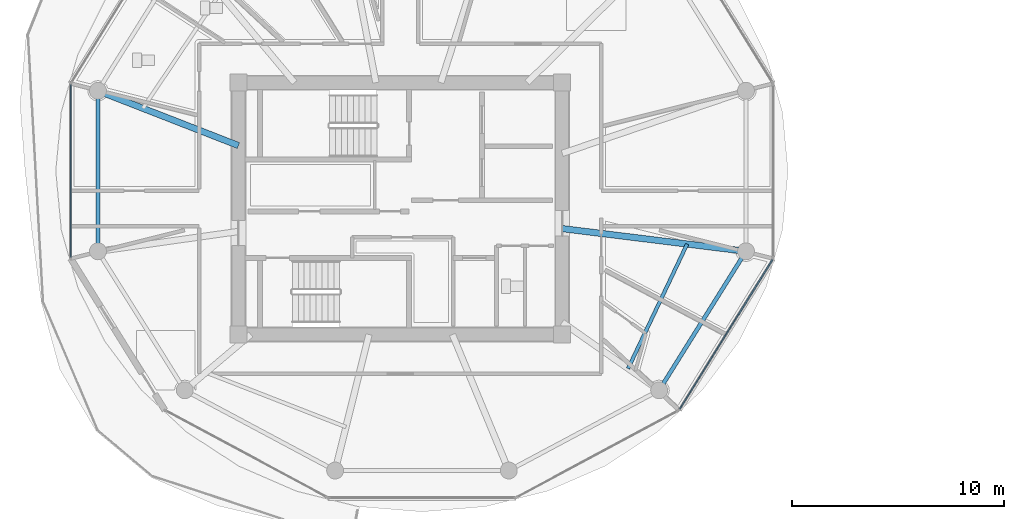
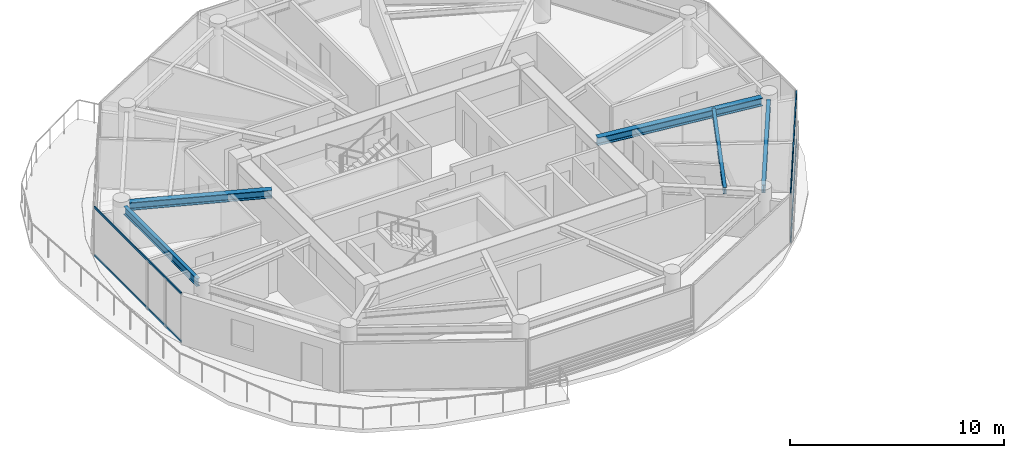
# One storey, part 3 of 25: 5 beams, 4 members, 2 elements without a shape of their own.
"""IFC4 building model written with IfcOpenShell, lengths in metres."""

from ifc_helpers import new_model, si_unit, direction, frame, origin, origin_2d, place, context, subcontext, project, spatial, rectangle, i_section, extrude, source, transform, mapped, material, layer, layer_set, material_profile, profile_set, type_object, type_shapes, element, aggregate, save


model = new_model("IFC4")

# Units and contexts
model_context = context("Model", 3, precision=1e-05, world=origin(), true_north=direction((0.0, 1.0)))
body_context = subcontext(model_context, "Body", "Model", "MODEL_VIEW")
ifc_project = project(units=[si_unit("LENGTHUNIT", "METRE"), si_unit("AREAUNIT", "SQUARE_METRE"), si_unit("VOLUMEUNIT", "CUBIC_METRE"), si_unit("PLANEANGLEUNIT", "RADIAN"), si_unit("MASSUNIT", "GRAM", prefix="KILO")], contexts=[model_context])

# Site, building, storey
site_placement = place(None, origin())
site = spatial("IfcSite", under=ifc_project, at=site_placement, CompositionType="ELEMENT")
building_placement = place(site_placement, origin())
building = spatial("IfcBuilding", under=site, at=building_placement, Name="Norrkilde Senior Care Towers", CompositionType="ELEMENT")
storey_placement = place(building_placement, frame((0.0, 0.0, 161.75)))
storey = spatial("IfcBuildingStorey", under=building, at=storey_placement, Name="L50", CompositionType="ELEMENT", Elevation=161.75)

# Beams
ifc_material_1 = material(Name="Steel S355", Category="steel")
ifc_material_profile_1 = material_profile(ifc_material_1, i_section(OverallWidth=0.18994140625, OverallDepth=0.449951171875, WebThickness=0.009521484375, FlangeThickness=0.0146484375, FilletRadius=0.02099609375, at=origin_2d()), Name="IPE 450")
ifc_profile_set_1 = profile_set([ifc_material_profile_1], Name="Steel S355")
beam_type_1 = type_object("IfcBeamType", Name="Perimeter Ring Spandrel Z3 IPE450", PredefinedType="SPANDREL", material=ifc_profile_set_1)
shared_shape_1 = source(origin(), body_context, "Body", "SweptSolid", [
    extrude(i_section(OverallWidth=0.18994140625, OverallDepth=0.449951171875, WebThickness=0.009521484375, FlangeThickness=0.0146484375, FilletRadius=0.02099609375, at=origin_2d()), origin(), (0.0, 0.0, 1.0), 6.86328125),
])
beam_1_placement = place(storey_placement, frame((-42.284912109375, 5.20703125, 2.5849609375), z_axis=(0.0, -1.0, 0.0), x_axis=(1.0, 0.0, 0.0)))
element("IfcBeam", 1, at=beam_1_placement, inside=storey, type_object=beam_type_1, Name="L50 Drum W Perimeter Spandrel 06", PredefinedType="SPANDREL", context=body_context, shape_type="MappedRepresentation", body=[
    mapped(shared_shape_1, transform((0.0, 0.0, 0.0), x_axis=(1.0, 0.0, 0.0), y_axis=(0.0, 1.0, 0.0), z_axis=(0.0, 0.0, 1.0), scale=1.0)),
])
ifc_material_profile_2 = material_profile(ifc_material_1, i_section(OverallWidth=0.300048828125, OverallDepth=0.449951171875, WebThickness=0.013916015625, FlangeThickness=0.02587890625, FilletRadius=0.027099609375, at=origin_2d()), Name="HEB 450")
ifc_profile_set_2 = profile_set([ifc_material_profile_2], Name="Steel S355")
beam_type_2 = type_object("IfcBeamType", Name="Radial Floor Beam Z3 HEB450", PredefinedType="BEAM", material=ifc_profile_set_2)
shared_shape_2 = source(origin(), body_context, "Body", "SweptSolid", [
    extrude(i_section(OverallWidth=0.300048828125, OverallDepth=0.449951171875, WebThickness=0.013916015625, FlangeThickness=0.02587890625, FilletRadius=0.027099609375, at=origin_2d()), origin(), (0.0, 0.0, 1.0), 6.760986328125),
])
beam_2_placement = place(storey_placement, frame((-35.64990234375, 2.981201171875, 2.5849609375), z_axis=(-0.931742171387, 0.363120539297, 0.0), x_axis=(-0.363120539297, -0.931742171387, 0.0)))
element("IfcBeam", 2, at=beam_2_placement, inside=storey, type_object=beam_type_2, Name="L50 Drum W Radial Floor Beam 06", PredefinedType="BEAM", context=body_context, shape_type="MappedRepresentation", body=[
    mapped(shared_shape_2, transform((0.0, 0.0, 0.0), x_axis=(1.0, 0.0, 0.0), y_axis=(0.0, 1.0, 0.0), z_axis=(0.0, 0.0, 1.0), scale=1.0)),
])
shared_shape_3 = source(origin(), body_context, "Body", "SweptSolid", [
    extrude(i_section(OverallWidth=0.18994140625, OverallDepth=0.449951171875, WebThickness=0.009521484375, FlangeThickness=0.0146484375, FilletRadius=0.02099609375, at=origin_2d()), origin(), (0.0, 0.0, 1.0), 7.023193359375),
])
type_shapes(beam_type_1, [shared_shape_1, shared_shape_3])
beam_3_placement = place(storey_placement, frame((-15.57666015625, -8.2783203125, 2.5849609375), z_axis=(0.529805197269, 0.848119362441, 0.0), x_axis=(-0.848119362441, 0.529805197269, 0.0)))
element("IfcBeam", 3, at=beam_3_placement, inside=storey, type_object=beam_type_1, Name="L50 Drum W Perimeter Spandrel 11", PredefinedType="SPANDREL", context=body_context, shape_type="MappedRepresentation", body=[
    mapped(shared_shape_3, transform((0.0, 0.0, 0.0), x_axis=(1.0, 0.0, 0.0), y_axis=(0.0, 1.0, 0.0), z_axis=(0.0, 0.0, 1.0), scale=1.0)),
])
shared_shape_4 = source(origin(), body_context, "Body", "SweptSolid", [
    extrude(i_section(OverallWidth=0.300048828125, OverallDepth=0.449951171875, WebThickness=0.013916015625, FlangeThickness=0.02587890625, FilletRadius=0.027099609375, at=origin_2d()), origin(), (0.0, 0.0, 1.0), 8.390869140625),
])
type_shapes(beam_type_2, [shared_shape_2, shared_shape_4])
beam_4_placement = place(storey_placement, frame((-20.35009765625, -0.9443359375, 2.5849609375), z_axis=(0.99246916403, -0.122494728249, 0.0), x_axis=(0.122494728249, 0.99246916403, 0.0)))
element("IfcBeam", 4, at=beam_4_placement, inside=storey, type_object=beam_type_2, Name="L50 Drum W Radial Floor Beam 12", PredefinedType="BEAM", context=body_context, shape_type="MappedRepresentation", body=[
    mapped(shared_shape_4, transform((0.0, 0.0, 0.0), x_axis=(1.0, 0.0, 0.0), y_axis=(0.0, 1.0, 0.0), z_axis=(0.0, 0.0, 1.0), scale=1.0)),
])
ifc_material_profile_3 = material_profile(ifc_material_1, i_section(OverallWidth=0.169921875, OverallDepth=0.360107421875, WebThickness=0.008056640625, FlangeThickness=0.0126953125, FilletRadius=0.01806640625, at=origin_2d()), Name="IPE 360")
ifc_profile_set_3 = profile_set([ifc_material_profile_3], Name="Steel S355")
beam_type_3 = type_object("IfcBeamType", Name="Secondary Floor Joist IPE360", PredefinedType="JOIST", material=ifc_profile_set_3)
shared_shape_5 = source(origin(), body_context, "Body", "SweptSolid", [
    extrude(i_section(OverallWidth=0.169921875, OverallDepth=0.360107421875, WebThickness=0.008056640625, FlangeThickness=0.0126953125, FilletRadius=0.01806640625, at=origin_2d()), origin(), (0.0, 0.0, 1.0), 6.50927734375),
])
type_shapes(beam_type_3, [shared_shape_5])
beam_5_placement = place(storey_placement, frame((-17.23388671875, -7.5546875, 2.6298828125), z_axis=(0.428544169129, 0.90352083269, 0.0), x_axis=(-0.90352083269, 0.428544169129, 0.0)))
element("IfcBeam", 5, at=beam_5_placement, inside=storey, type_object=beam_type_3, Name="L50 Drum W Secondary Floor Joist 4", PredefinedType="JOIST", context=body_context, shape_type="MappedRepresentation", body=[
    mapped(shared_shape_5, transform((0.0, 0.0, 0.0), x_axis=(1.0, 0.0, 0.0), y_axis=(0.0, 1.0, 0.0), z_axis=(0.0, 0.0, 1.0), scale=1.0)),
])

# Curtain wall, members
ifc_material_2 = material(Name="Triple Low-E Insulated Glazing", Category="glass")
ifc_layer = layer(ifc_material_2, 0.18994140625)
ifc_layer_set = layer_set([ifc_layer], Name="Triple Low-E Insulated Glazing")
curtain_wall_type = type_object("IfcCurtainWallType", Name="CW4 Zone 3 Senior Residence Curtain Wall", PredefinedType="NOTDEFINED", material=ifc_layer_set)
curtain_wall_1_placement = place(storey_placement, origin())
curtain_wall_1 = element("IfcCurtainWall", 6, at=curtain_wall_1_placement, inside=storey, type_object=curtain_wall_type, Name="L50 Drum W Curtain Wall 10", PredefinedType="NOTDEFINED")
ifc_material_3 = material(Name="Anodised Aluminium", Category="aluminium")
ifc_material_profile_4 = material_profile(ifc_material_3, rectangle(XDim=0.06005859375, YDim=0.1201171875, at=origin_2d()), Name="ALU TRAN 60x120")
ifc_profile_set_4 = profile_set([ifc_material_profile_4], Name="Anodised Aluminium")
member_type = type_object("IfcMemberType", Name="Curtain Wall Transom Typical 60x120", PredefinedType="USERDEFINED", material=ifc_profile_set_4)
shared_shape_6 = source(origin(), body_context, "Body", "SweptSolid", [
    extrude(rectangle(XDim=0.06005859375, YDim=0.1201171875, at=origin_2d()), origin(), (0.0, 0.0, 1.0), 8.301513671875),
])
member_1_placement = place(storey_placement, frame((-10.414794921875, -2.415771484375, 0.030029296875), z_axis=(-0.527368718394, -0.849636531029, 0.0), x_axis=(0.849636531029, -0.527368718394, 0.0)))
member_1 = element("IfcMember", 7, at=member_1_placement, type_object=member_type, Name="CW-4 transom 1.1", ObjectType="TRANSOM", PredefinedType="USERDEFINED", context=body_context, shape_type="MappedRepresentation", body=[
    mapped(shared_shape_6, transform((0.0, 0.0, 0.0), x_axis=(1.0, 0.0, 0.0), y_axis=(0.0, 1.0, 0.0), z_axis=(0.0, 0.0, 1.0), scale=1.0)),
])
member_2_placement = place(storey_placement, frame((-10.414794921875, -2.415771484375, 2.780029296875), z_axis=(-0.527368718394, -0.849636531029, 0.0), x_axis=(0.849636531029, -0.527368718394, 0.0)))
member_2 = element("IfcMember", 8, at=member_2_placement, type_object=member_type, Name="CW-4 transom 1.2", ObjectType="TRANSOM", PredefinedType="USERDEFINED", context=body_context, shape_type="MappedRepresentation", body=[
    mapped(shared_shape_6, transform((0.0, 0.0, 0.0), x_axis=(1.0, 0.0, 0.0), y_axis=(0.0, 1.0, 0.0), z_axis=(0.0, 0.0, 1.0), scale=1.0)),
])
aggregate(curtain_wall_1, [member_1, member_2])

curtain_wall_2_placement = place(storey_placement, origin())
curtain_wall_2 = element("IfcCurtainWall", 9, at=curtain_wall_2_placement, inside=storey, type_object=curtain_wall_type, Name="L50 Drum W Curtain Wall 05", PredefinedType="NOTDEFINED")
shared_shape_7 = source(origin(), body_context, "Body", "SweptSolid", [
    extrude(rectangle(XDim=0.06005859375, YDim=0.1201171875, at=origin_2d()), origin(), (0.0, 0.0, 1.0), 8.141845703125),
])
type_shapes(member_type, [shared_shape_6, shared_shape_7])
member_3_placement = place(storey_placement, frame((-43.569580078125, -2.295654296875, 0.030029296875), z_axis=(0.0, 1.0, 0.0), x_axis=(-1.0, 0.0, 0.0)))
member_3 = element("IfcMember", 10, at=member_3_placement, type_object=member_type, Name="CW-4 transom 1.1", ObjectType="TRANSOM", PredefinedType="USERDEFINED", context=body_context, shape_type="MappedRepresentation", body=[
    mapped(shared_shape_7, transform((0.0, 0.0, 0.0), x_axis=(1.0, 0.0, 0.0), y_axis=(0.0, 1.0, 0.0), z_axis=(0.0, 0.0, 1.0), scale=1.0)),
])
member_4_placement = place(storey_placement, frame((-43.569580078125, -2.295654296875, 2.780029296875), z_axis=(0.0, 1.0, 0.0), x_axis=(-1.0, 0.0, 0.0)))
member_4 = element("IfcMember", 11, at=member_4_placement, type_object=member_type, Name="CW-4 transom 1.2", ObjectType="TRANSOM", PredefinedType="USERDEFINED", context=body_context, shape_type="MappedRepresentation", body=[
    mapped(shared_shape_7, transform((0.0, 0.0, 0.0), x_axis=(1.0, 0.0, 0.0), y_axis=(0.0, 1.0, 0.0), z_axis=(0.0, 0.0, 1.0), scale=1.0)),
])
aggregate(curtain_wall_2, [member_3, member_4])

save(model, "model.ifc")
